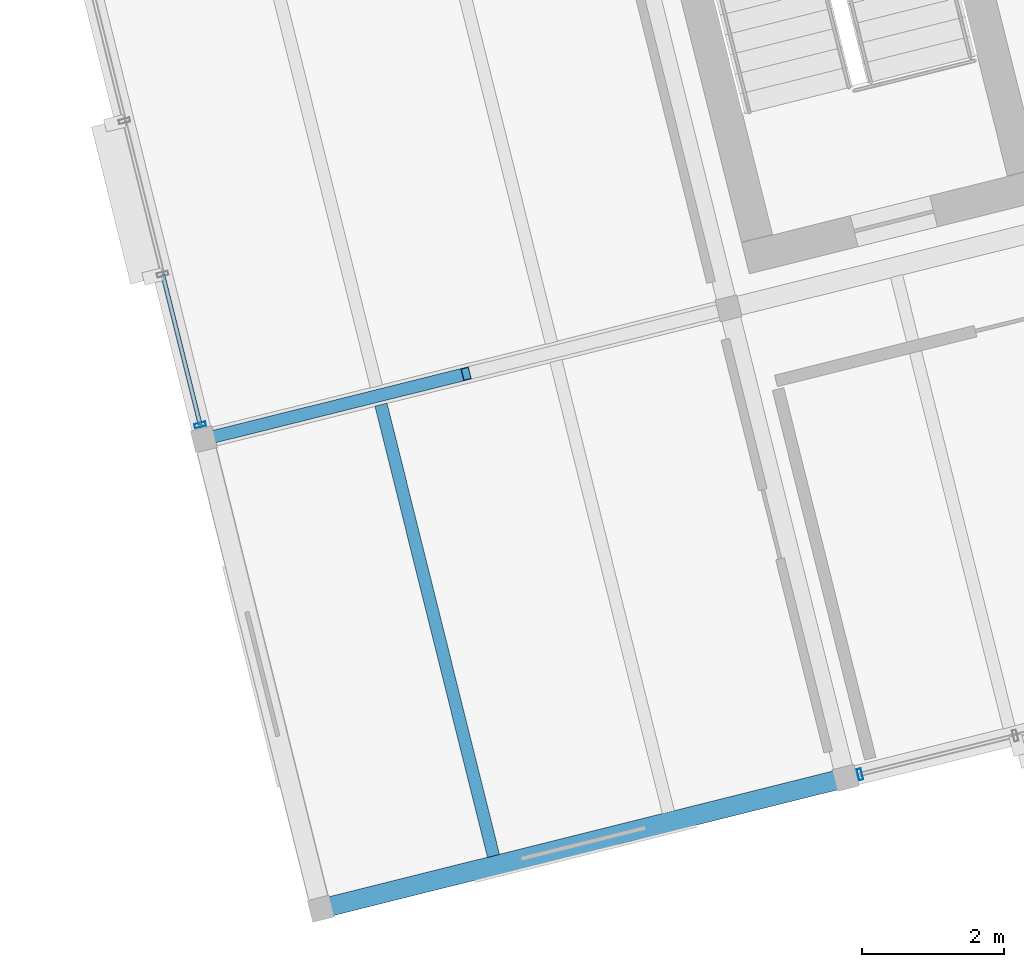
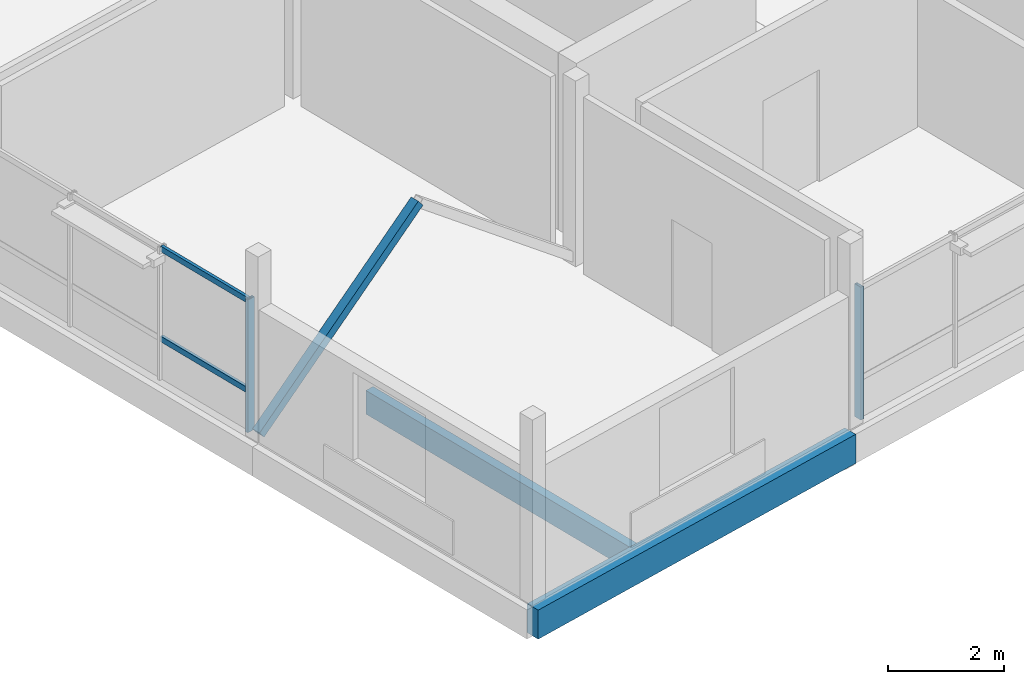
# One storey, part 2 of 25: 5 members, 2 beams, 2 elements without a shape of their own.
"""IFC4 building model written with IfcOpenShell, lengths in metres."""

from ifc_helpers import new_model, si_unit, direction, frame, origin, origin_2d, place, context, subcontext, project, spatial, rectangle, hollow_rectangle, extrude, material, layer, layer_set, material_profile, profile_set, type_object, element, aggregate, save


model = new_model("IFC4")

# Units and contexts
model_context = context("Model", 3, precision=1e-05, world=origin(), true_north=direction((0.0, 1.0)))
body_context = subcontext(model_context, "Body", "Model", "MODEL_VIEW")
ifc_project = project(units=[si_unit("LENGTHUNIT", "METRE"), si_unit("AREAUNIT", "SQUARE_METRE"), si_unit("VOLUMEUNIT", "CUBIC_METRE"), si_unit("PLANEANGLEUNIT", "RADIAN"), si_unit("MASSUNIT", "GRAM", prefix="KILO")], contexts=[model_context])

# Site, building, storey
site_placement = place(None, origin())
site = spatial("IfcSite", under=ifc_project, at=site_placement, CompositionType="ELEMENT")
building_placement = place(site_placement, origin())
building = spatial("IfcBuilding", under=site, at=building_placement, Name="Meriwether Solvik Hall", CompositionType="ELEMENT")
storey_placement = place(building_placement, frame((0.0, 0.0, 49.5)))
storey = spatial("IfcBuildingStorey", under=building, at=storey_placement, Name="L12", CompositionType="ELEMENT", Elevation=49.5)

# Beam
ifc_material_1 = material(Name="Glulam Douglas-Fir 24F-V8 GL28h", Category="wood")
ifc_material_profile_1 = material_profile(ifc_material_1, rectangle(XDim=0.27294921875, YDim=0.610107421875, at=origin_2d()), Name="GLB-273X610")
ifc_profile_set_1 = profile_set([ifc_material_profile_1], Name="Glulam Douglas-Fir 24F-V8 GL28h")
beam_type_1 = type_object("IfcBeamType", Name="BM-GL-273X610", PredefinedType="SPANDREL", material=ifc_profile_set_1)
beam_1_placement = place(storey_placement, frame((68.60009765625, 41.199951171875, -0.485107421875), z_axis=(0.970295366785, 0.241923337436, 0.0), x_axis=(-0.241923337436, 0.970295366785, 0.0)))
element("IfcBeam", 1, at=beam_1_placement, inside=storey, type_object=beam_type_1, Name="Tower Girder TA:T1-T2 (L12)", PredefinedType="SPANDREL", context=body_context, shape_type="SweptSolid", body=[
    extrude(rectangle(XDim=0.27294921875, YDim=0.610107421875, at=origin_2d()), origin(), (0.0, 0.0, 1.0), 7.60009765625),
])

# Curtain wall, member
ifc_material_2 = material(Name="Thermally Broken Anodised Aluminium 6063-T6 and Low-E Glass", Category="aluminium")
ifc_layer_1 = layer(ifc_material_2, 0.179931640625)
ifc_layer_set_1 = layer_set([ifc_layer_1], Name="Thermally Broken Anodised Aluminium 6063-T6 and Low-E Glass")
curtain_wall_type_1 = type_object("IfcCurtainWallType", Name="CW-UNIT-D", PredefinedType="USERDEFINED", material=ifc_layer_set_1)
curtain_wall_1_placement = place(storey_placement, origin())
curtain_wall_1 = element("IfcCurtainWall", 2, at=curtain_wall_1_placement, inside=storey, type_object=curtain_wall_type_1, Name="Curtain Wall E0_B1 (L12)", ObjectType="UNITISED CURTAIN WALL", PredefinedType="USERDEFINED")
ifc_material_3 = material(Name="Anodised Aluminium 6063-T6", Category="aluminium")
ifc_material_profile_2 = material_profile(ifc_material_3, hollow_rectangle(XDim=0.06005859375, YDim=0.159912109375, WallThickness=0.00390625, at=origin_2d()), Name="CWM-60X160")
ifc_profile_set_2 = profile_set([ifc_material_profile_2], Name="Anodised Aluminium 6063-T6")
member_type_1 = type_object("IfcMemberType", Name="CW-MUL-60X160", PredefinedType="MULLION", material=ifc_profile_set_2)
member_1_placement = place(storey_placement, frame((76.175537109375, 43.0888671875, 0.0), z_axis=(0.0, 0.0, 1.0), x_axis=(-0.970295730764, -0.241921877598, 0.0)))
member_1 = element("IfcMember", 3, at=member_1_placement, type_object=member_type_1, Name="Curtain Wall Mullion 4", PredefinedType="MULLION", context=body_context, shape_type="SweptSolid", body=[
    extrude(hollow_rectangle(XDim=0.06005859375, YDim=0.159912109375, WallThickness=0.00390625, at=origin_2d()), origin(), (0.0, 0.0, 1.0), 2.7900390625),
])
aggregate(curtain_wall_1, [member_1])

# Curtain wall, members
ifc_material_4 = material(Name="Thermally Broken Anodised Aluminium 6063-T6 and Low-E Glass", Category="aluminium")
ifc_layer_2 = layer(ifc_material_4, 0.179931640625)
ifc_layer_set_2 = layer_set([ifc_layer_2], Name="Thermally Broken Anodised Aluminium 6063-T6 and Low-E Glass")
curtain_wall_type_2 = type_object("IfcCurtainWallType", Name="CW-UNIT-G", PredefinedType="USERDEFINED", material=ifc_layer_set_2)
curtain_wall_2_placement = place(storey_placement, origin())
curtain_wall_2 = element("IfcCurtainWall", 4, at=curtain_wall_2_placement, inside=storey, type_object=curtain_wall_type_2, Name="Curtain Wall E3_B1 (L12)", ObjectType="UNITISED CURTAIN WALL", PredefinedType="USERDEFINED")
member_2_placement = place(storey_placement, frame((66.90478515625, 47.999267578125, 0.0), z_axis=(0.0, 0.0, 1.0), x_axis=(-0.241921784185, 0.970295754055, 0.0)))
member_2 = element("IfcMember", 5, at=member_2_placement, type_object=member_type_1, Name="Curtain Wall Mullion 1", PredefinedType="MULLION", context=body_context, shape_type="SweptSolid", body=[
    extrude(hollow_rectangle(XDim=0.06005859375, YDim=0.159912109375, WallThickness=0.00390625, at=origin_2d()), origin(), (0.0, 0.0, 1.0), 2.7900390625),
])
ifc_material_5 = material(Name="Anodised Aluminium 6063-T6", Category="aluminium")
ifc_material_profile_3 = material_profile(ifc_material_5, hollow_rectangle(XDim=0.06005859375, YDim=0.1201171875, WallThickness=0.00390625, at=origin_2d()), Name="CWT-60X120")
ifc_profile_set_3 = profile_set([ifc_material_profile_3], Name="Anodised Aluminium 6063-T6")
member_type_2 = type_object("IfcMemberType", Name="CW-TRN-60X120", PredefinedType="USERDEFINED", material=ifc_profile_set_3)
member_3_placement = place(storey_placement, frame((66.90478515625, 47.999267578125, 0.8369140625), z_axis=(-0.241956533808, 0.970287089344, 0.0), x_axis=(-0.970287089344, -0.241956533808, 0.0)))
member_3 = element("IfcMember", 6, at=member_3_placement, type_object=member_type_2, Name="Curtain Wall Transom 1-sill", ObjectType="TRANSOM", PredefinedType="USERDEFINED", context=body_context, shape_type="SweptSolid", body=[
    extrude(hollow_rectangle(XDim=0.06005859375, YDim=0.1201171875, WallThickness=0.00390625, at=origin_2d()), origin(), (0.0, 0.0, 1.0), 2.1826171875),
])
member_4_placement = place(storey_placement, frame((66.90478515625, 47.999267578125, 2.72998046875), z_axis=(-0.241956533808, 0.970287089344, 0.0), x_axis=(-0.970287089344, -0.241956533808, 0.0)))
member_4 = element("IfcMember", 7, at=member_4_placement, type_object=member_type_2, Name="Curtain Wall Transom 1-head", ObjectType="TRANSOM", PredefinedType="USERDEFINED", context=body_context, shape_type="SweptSolid", body=[
    extrude(hollow_rectangle(XDim=0.06005859375, YDim=0.1201171875, WallThickness=0.00390625, at=origin_2d()), origin(), (0.0, 0.0, 1.0), 2.1826171875),
])
aggregate(curtain_wall_2, [member_2, member_3, member_4])

# Beam
ifc_material_6 = material(Name="Glulam Douglas-Fir 24F-V8 GL28h", Category="wood")
ifc_material_profile_4 = material_profile(ifc_material_6, rectangle(XDim=0.175048828125, YDim=0.4951171875, at=origin_2d()), Name="GLJ-175X495")
ifc_profile_set_4 = profile_set([ifc_material_profile_4], Name="Glulam Douglas-Fir 24F-V8 GL28h")
beam_type_2 = type_object("IfcBeamType", Name="JST-GL-175X495", PredefinedType="JOIST", material=ifc_profile_set_4)
beam_2_placement = place(storey_placement, frame((71.026123046875, 41.9404296875, -0.427490234375), z_axis=(-0.241902854765, 0.970300473491, 0.0), x_axis=(-0.970300473491, -0.241902854765, 0.0)))
element("IfcBeam", 8, at=beam_2_placement, inside=storey, type_object=beam_type_2, Name="Glulam Floor Joist T1/TA-J1 (L12)", PredefinedType="JOIST", context=body_context, shape_type="SweptSolid", body=[
    extrude(rectangle(XDim=0.175048828125, YDim=0.4951171875, at=origin_2d()), origin(), (0.0, 0.0, 1.0), 6.536865234375),
])

# Member
ifc_material_7 = material(Name="Steel A500 Grade C", Category="steel")
ifc_material_profile_5 = material_profile(ifc_material_7, hollow_rectangle(XDim=0.177978515625, YDim=0.177978515625, WallThickness=0.009521484375, at=origin_2d()), Name="HSS178X178X9.5")
ifc_profile_set_5 = profile_set([ifc_material_profile_5], Name="Steel A500 Grade C")
member_type_3 = type_object("IfcMemberType", Name="MEM-BR-HSS178", PredefinedType="BRACE", material=ifc_profile_set_5)
member_5_placement = place(storey_placement, frame((66.954833984375, 47.798095703125, 0.050048828125), z_axis=(0.759157605532, 0.189249048853, 0.622787706584), x_axis=(-0.241885553952, 0.970304786544, 0.0)))
element("IfcMember", 9, at=member_5_placement, inside=storey, type_object=member_type_3, Name="Tower Chevron Brace L12-B1A", PredefinedType="BRACE", context=body_context, shape_type="SweptSolid", body=[
    extrude(hollow_rectangle(XDim=0.177978515625, YDim=0.177978515625, WallThickness=0.009521484375, at=origin_2d()), origin(), (0.0, 0.0, 1.0), 4.85693359375),
])

save(model, "model.ifc")
